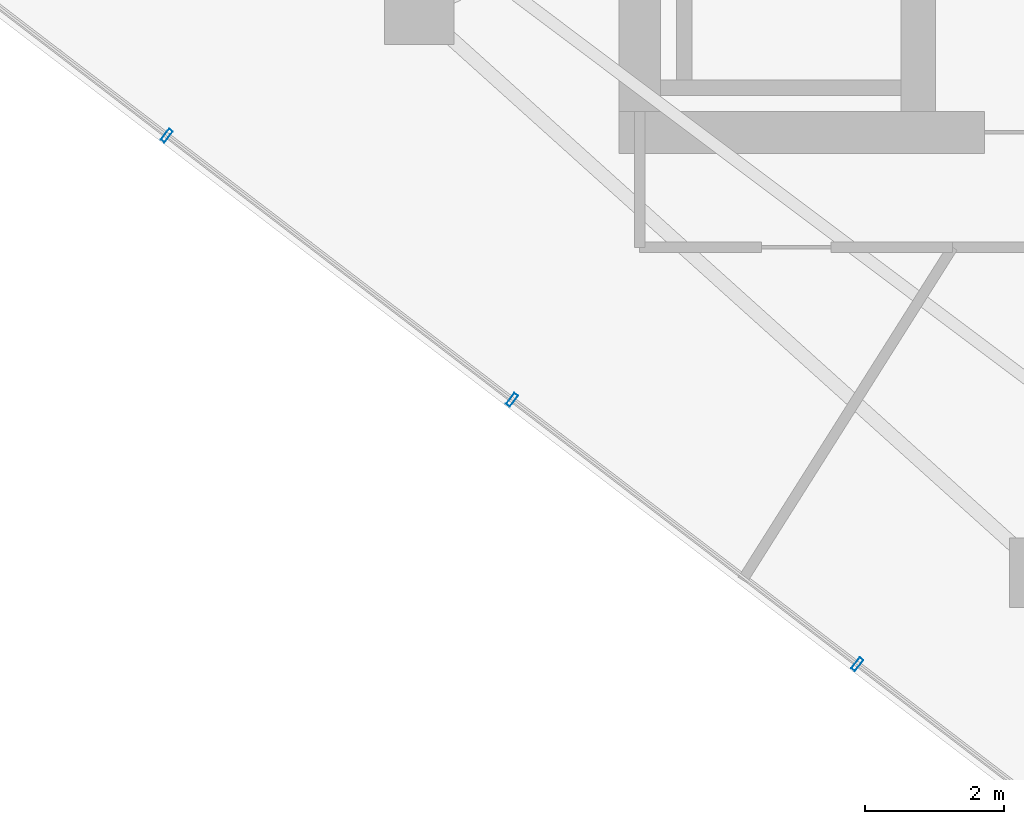
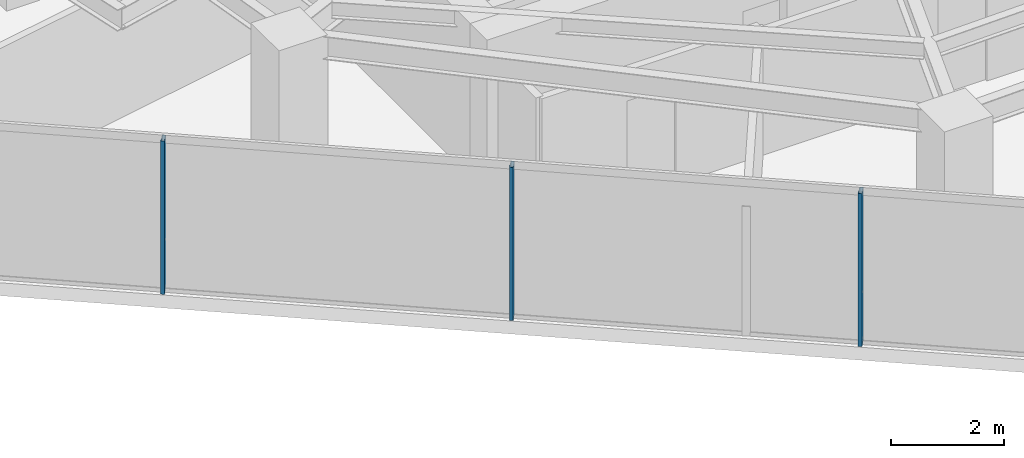
# One storey, part 2 of 20: 3 members, 1 element without a shape of its own.
"""IFC4 building model written with IfcOpenShell, lengths in metres."""

from ifc_helpers import new_model, si_unit, direction, frame, origin, origin_2d, place, context, subcontext, project, spatial, hollow_rectangle, extrude, material, layer, layer_set, material_profile, profile_set, type_object, element, aggregate, save


model = new_model("IFC4")

# Units and contexts
model_context = context("Model", 3, precision=1e-05, world=origin(), true_north=direction((0.0, 1.0)))
body_context = subcontext(model_context, "Body", "Model", "MODEL_VIEW")
ifc_project = project(units=[si_unit("LENGTHUNIT", "METRE"), si_unit("AREAUNIT", "SQUARE_METRE"), si_unit("VOLUMEUNIT", "CUBIC_METRE"), si_unit("PLANEANGLEUNIT", "RADIAN"), si_unit("MASSUNIT", "GRAM", prefix="KILO")], contexts=[model_context])

# Site, building, storey
site_placement = place(None, origin())
site = spatial("IfcSite", under=ifc_project, at=site_placement, CompositionType="ELEMENT")
building_placement = place(site_placement, origin())
building = spatial("IfcBuilding", under=site, at=building_placement, Name="Qarnah Convention Tower", CompositionType="ELEMENT")
storey_placement = place(building_placement, frame((0.0, 0.0, 150.89990234375)))
storey = spatial("IfcBuildingStorey", under=building, at=storey_placement, Name="L40", CompositionType="ELEMENT", Elevation=150.89990234375)

# Curtain wall, members
ifc_material_1 = material(Name="Tempered Low-E dark glass", Category="glass")
ifc_layer = layer(ifc_material_1, 0.172119140625)
ifc_layer_set = layer_set([ifc_layer], Name="Tempered Low-E dark glass")
curtain_wall_type = type_object("IfcCurtainWallType", Name="CWS-03", PredefinedType="NOTDEFINED", material=ifc_layer_set)
curtain_wall_placement = place(storey_placement, origin())
curtain_wall = element("IfcCurtainWall", 1, at=curtain_wall_placement, inside=storey, type_object=curtain_wall_type, Name="L40 unitised curtain wall CW-L40-F3", PredefinedType="NOTDEFINED")
ifc_material_2 = material(Name="Black anodised aluminium", Category="aluminium")
ifc_material_profile = material_profile(ifc_material_2, hollow_rectangle(XDim=0.070068359375, YDim=0.199951171875, WallThickness=0.0048828125, at=origin_2d()), Name="MUL-70X200")
ifc_profile_set = profile_set([ifc_material_profile], Name="Black anodised aluminium")
member_type = type_object("IfcMemberType", Name="MUL-T3", PredefinedType="MULLION", material=ifc_profile_set)
member_1_placement = place(storey_placement, frame((29.9248046875, 10.962158203125, 0.0), z_axis=(0.0, 0.0, 1.0), x_axis=(-0.793992266072, 0.607927858728, 0.0)))
member_1 = element("IfcMember", 2, at=member_1_placement, type_object=member_type, Name="CW-L40-F3 mullion 3", PredefinedType="MULLION", context=body_context, shape_type="SweptSolid", body=[
    extrude(hollow_rectangle(XDim=0.070068359375, YDim=0.199951171875, WallThickness=0.0048828125, at=origin_2d()), origin(), (0.0, 0.0, 1.0), 3.320068359375),
])
member_2_placement = place(storey_placement, frame((24.96630859375, 14.7587890625, 0.0), z_axis=(0.0, 0.0, 1.0), x_axis=(-0.793992266072, 0.607927858728, 0.0)))
member_2 = element("IfcMember", 3, at=member_2_placement, type_object=member_type, Name="CW-L40-F3 mullion 4", PredefinedType="MULLION", context=body_context, shape_type="SweptSolid", body=[
    extrude(hollow_rectangle(XDim=0.070068359375, YDim=0.199951171875, WallThickness=0.0048828125, at=origin_2d()), origin(), (0.0, 0.0, 1.0), 3.320068359375),
])
member_3_placement = place(storey_placement, frame((20.007568359375, 18.555419921875, 0.0), z_axis=(0.0, 0.0, 1.0), x_axis=(-0.793992266072, 0.607927858728, 0.0)))
member_3 = element("IfcMember", 4, at=member_3_placement, type_object=member_type, Name="CW-L40-F3 mullion 5", PredefinedType="MULLION", context=body_context, shape_type="SweptSolid", body=[
    extrude(hollow_rectangle(XDim=0.070068359375, YDim=0.199951171875, WallThickness=0.0048828125, at=origin_2d()), origin(), (0.0, 0.0, 1.0), 3.320068359375),
])
aggregate(curtain_wall, [member_1, member_2, member_3])

save(model, "model.ifc")
